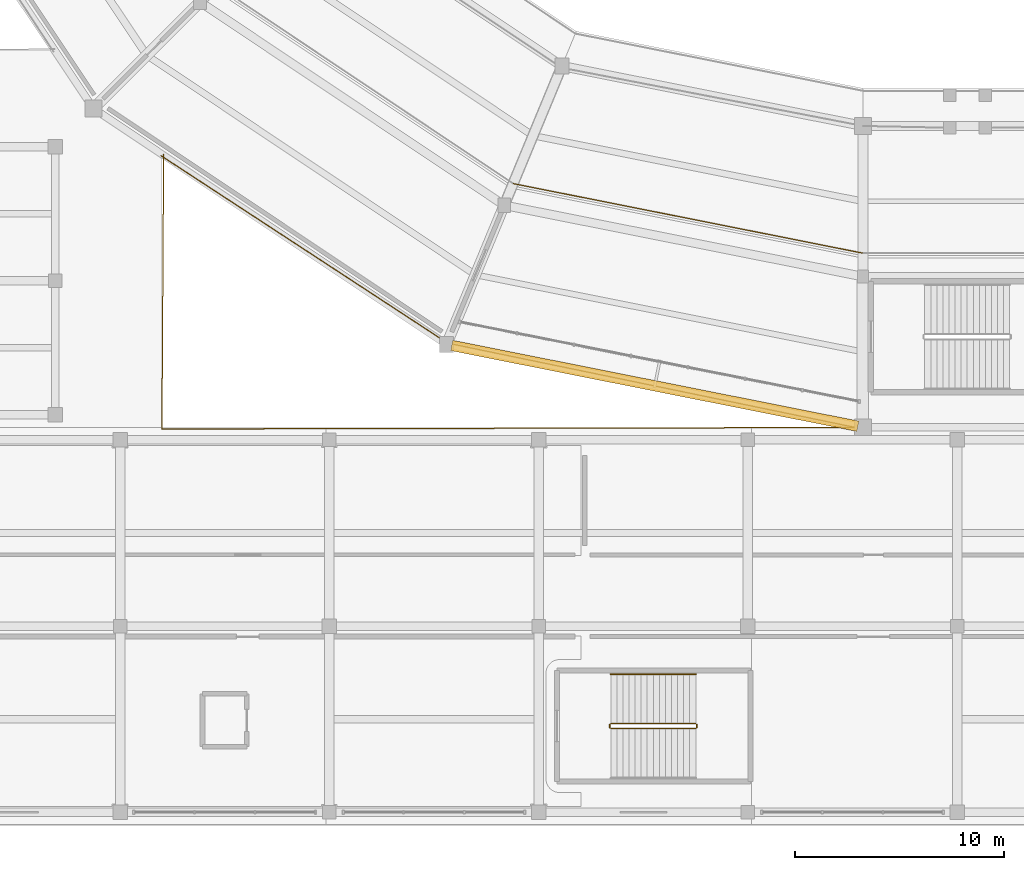
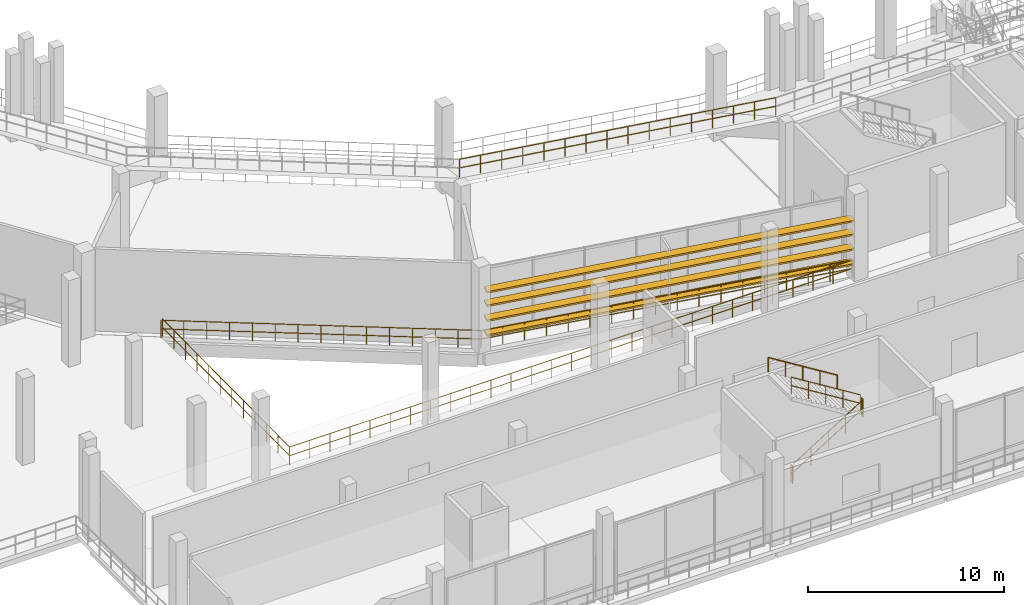
# One storey, part 95 of 127: 10 railings, 4 shading devices.
"""IFC4 building model written with IfcOpenShell, lengths in metres."""

from ifc_helpers import new_model, si_unit, direction, frame, origin, origin_2d, place, context, subcontext, project, spatial, rectangle, circle, extrude, material, layer, layer_set, type_object, element, save


model = new_model("IFC4")

# Units and contexts
model_context = context("Model", 3, precision=1e-05, world=origin(), true_north=direction((0.0, 1.0)))
body_context = subcontext(model_context, "Body", "Model", "MODEL_VIEW")
ifc_project = project(units=[si_unit("LENGTHUNIT", "METRE"), si_unit("AREAUNIT", "SQUARE_METRE"), si_unit("VOLUMEUNIT", "CUBIC_METRE"), si_unit("PLANEANGLEUNIT", "RADIAN"), si_unit("MASSUNIT", "GRAM", prefix="KILO")], contexts=[model_context])

# Site, building, storey
site_placement = place(None, origin())
site = spatial("IfcSite", under=ifc_project, at=site_placement, CompositionType="ELEMENT")
building_placement = place(site_placement, origin())
building = spatial("IfcBuilding", under=site, at=building_placement, Name="Candeia Ridge Stadium", CompositionType="ELEMENT")
storey_placement = place(building_placement, frame((0.0, 0.0, 10.800048828125)))
storey = spatial("IfcBuildingStorey", under=building, at=storey_placement, Name="L02", CompositionType="ELEMENT", Elevation=10.800048828125)

# Railings
ifc_material_1 = material(Name="Galvanized Powder-Coated Steel", Category="steel")
ifc_layer_1 = layer(ifc_material_1, 0.074951171875, Name="Galvanized Powder-Coated Steel", Category="steel")
ifc_layer_set_1 = layer_set([ifc_layer_1], Name="Galvanized Powder-Coated Steel")
railing_type_1 = type_object("IfcRailingType", Name="Spectator Bowl Front Guardrail 1120", PredefinedType="GUARDRAIL", material=ifc_layer_set_1)
railing_1_placement = place(storey_placement, frame((54.284423828125, 30.64501953125, 4.949951171875)))
element("IfcRailing", 1, at=railing_1_placement, inside=storey, type_object=railing_type_1, Name="Stand T2 rear safety guardrail bay 18", PredefinedType="GUARDRAIL", context=body_context, shape_type="SweptSolid", body=[
    extrude(circle(Radius=0.02392578125, at=origin_2d()), frame((0.0, 0.0, 1.09619140625), z_axis=(0.980785096916, -0.195091244467, 0.0), x_axis=(0.195091244467, 0.980785096916, 0.0)), (0.0, 0.0, 1.0), 17.04296875),
    extrude(circle(Radius=0.02392578125, at=origin_2d()), frame((0.0, 0.0, 0.56005859375), z_axis=(0.980785096916, -0.195091244467, 0.0), x_axis=(0.195091244467, 0.980785096916, 0.0)), (0.0, 0.0, 1.0), 17.04296875),
    extrude(circle(Radius=0.02099609375, at=origin_2d()), origin(), (0.0, 0.0, 1.0), 1.072021484375),
    extrude(circle(Radius=0.02099609375, at=origin_2d()), frame((1.1142578125, -0.2216796875, 0.0)), (0.0, 0.0, 1.0), 1.072021484375),
    extrude(circle(Radius=0.02099609375, at=origin_2d()), frame((2.228759765625, -0.443359375, 0.0)), (0.0, 0.0, 1.0), 1.072021484375),
    extrude(circle(Radius=0.02099609375, at=origin_2d()), frame((3.343017578125, -0.6650390625, 0.0)), (0.0, 0.0, 1.0), 1.072021484375),
    extrude(circle(Radius=0.02099609375, at=origin_2d()), frame((4.45751953125, -0.88671875, 0.0)), (0.0, 0.0, 1.0), 1.072021484375),
    extrude(circle(Radius=0.02099609375, at=origin_2d()), frame((5.57177734375, -1.1083984375, 0.0)), (0.0, 0.0, 1.0), 1.072021484375),
    extrude(circle(Radius=0.02099609375, at=origin_2d()), frame((6.686279296875, -1.330078125, 0.0)), (0.0, 0.0, 1.0), 1.072021484375),
    extrude(circle(Radius=0.02099609375, at=origin_2d()), frame((7.800537109375, -1.5517578125, 0.0)), (0.0, 0.0, 1.0), 1.072021484375),
    extrude(circle(Radius=0.02099609375, at=origin_2d()), frame((8.9150390625, -1.773193359375, 0.0)), (0.0, 0.0, 1.0), 1.072021484375),
    extrude(circle(Radius=0.02099609375, at=origin_2d()), frame((10.029296875, -1.994873046875, 0.0)), (0.0, 0.0, 1.0), 1.072021484375),
    extrude(circle(Radius=0.02099609375, at=origin_2d()), frame((11.143798828125, -2.216552734375, 0.0)), (0.0, 0.0, 1.0), 1.072021484375),
    extrude(circle(Radius=0.02099609375, at=origin_2d()), frame((12.258056640625, -2.438232421875, 0.0)), (0.0, 0.0, 1.0), 1.072021484375),
    extrude(circle(Radius=0.02099609375, at=origin_2d()), frame((13.37255859375, -2.659912109375, 0.0)), (0.0, 0.0, 1.0), 1.072021484375),
    extrude(circle(Radius=0.02099609375, at=origin_2d()), frame((14.48681640625, -2.881591796875, 0.0)), (0.0, 0.0, 1.0), 1.072021484375),
    extrude(circle(Radius=0.02099609375, at=origin_2d()), frame((15.601318359375, -3.103271484375, 0.0)), (0.0, 0.0, 1.0), 1.072021484375),
    extrude(circle(Radius=0.02099609375, at=origin_2d()), frame((16.715576171875, -3.324951171875, 0.0)), (0.0, 0.0, 1.0), 1.072021484375),
])
railing_2_placement = place(storey_placement, frame((37.580078125, 32.0458984375, 0.0)))
element("IfcRailing", 2, at=railing_2_placement, inside=storey, type_object=railing_type_1, Name="Deck edge safety guardrail GR-DE-L02-0127", PredefinedType="GUARDRAIL", context=body_context, shape_type="SweptSolid", body=[
    extrude(circle(Radius=0.02392578125, at=origin_2d()), frame((0.0, 0.0, 1.09619140625), z_axis=(-0.006100623024, -0.999981391026, 0.0), x_axis=(0.999981391026, -0.006100623024, 0.0)), (0.0, 0.0, 1.0), 13.126220703125),
    extrude(circle(Radius=0.02392578125, at=origin_2d()), frame((0.0, 0.0, 0.56005859375), z_axis=(-0.006100623024, -0.999981391026, 0.0), x_axis=(0.999981391026, -0.006100623024, 0.0)), (0.0, 0.0, 1.0), 13.126220703125),
    extrude(circle(Radius=0.02099609375, at=origin_2d()), origin(), (0.0, 0.0, 1.0), 1.072021484375),
    extrude(circle(Radius=0.02099609375, at=origin_2d()), frame((-0.00732421875, -1.193359375, 0.0)), (0.0, 0.0, 1.0), 1.072021484375),
    extrude(circle(Radius=0.02099609375, at=origin_2d()), frame((-0.0146484375, -2.386474609375, 0.0)), (0.0, 0.0, 1.0), 1.072021484375),
    extrude(circle(Radius=0.02099609375, at=origin_2d()), frame((-0.021728515625, -3.579833984375, 0.0)), (0.0, 0.0, 1.0), 1.072021484375),
    extrude(circle(Radius=0.02099609375, at=origin_2d()), frame((-0.029052734375, -4.773193359375, 0.0)), (0.0, 0.0, 1.0), 1.072021484375),
    extrude(circle(Radius=0.02099609375, at=origin_2d()), frame((-0.036376953125, -5.96630859375, 0.0)), (0.0, 0.0, 1.0), 1.072021484375),
    extrude(circle(Radius=0.02099609375, at=origin_2d()), frame((-0.043701171875, -7.15966796875, 0.0)), (0.0, 0.0, 1.0), 1.072021484375),
    extrude(circle(Radius=0.02099609375, at=origin_2d()), frame((-0.051025390625, -8.352783203125, 0.0)), (0.0, 0.0, 1.0), 1.072021484375),
    extrude(circle(Radius=0.02099609375, at=origin_2d()), frame((-0.058349609375, -9.546142578125, 0.0)), (0.0, 0.0, 1.0), 1.072021484375),
    extrude(circle(Radius=0.02099609375, at=origin_2d()), frame((-0.0654296875, -10.739501953125, 0.0)), (0.0, 0.0, 1.0), 1.072021484375),
    extrude(circle(Radius=0.02099609375, at=origin_2d()), frame((-0.07275390625, -11.9326171875, 0.0)), (0.0, 0.0, 1.0), 1.072021484375),
    extrude(circle(Radius=0.02099609375, at=origin_2d()), frame((-0.080078125, -13.1259765625, 0.0)), (0.0, 0.0, 1.0), 1.072021484375),
])
railing_3_placement = place(storey_placement, frame((37.5, 18.919921875, 0.0)))
element("IfcRailing", 3, at=railing_3_placement, inside=storey, type_object=railing_type_1, Name="Deck edge safety guardrail GR-DE-L02-0128", PredefinedType="GUARDRAIL", context=body_context, shape_type="SweptSolid", body=[
    extrude(circle(Radius=0.02392578125, at=origin_2d()), frame((0.0, 0.0, 1.09619140625), z_axis=(0.999997640457, 0.002172344388, 0.0), x_axis=(-0.002172344388, 0.999997640457, 0.0)), (0.0, 0.0, 1.0), 33.26611328125),
    extrude(circle(Radius=0.02392578125, at=origin_2d()), frame((0.0, 0.0, 0.56005859375), z_axis=(0.999997640457, 0.002172344388, 0.0), x_axis=(-0.002172344388, 0.999997640457, 0.0)), (0.0, 0.0, 1.0), 33.26611328125),
    extrude(circle(Radius=0.02099609375, at=origin_2d()), origin(), (0.0, 0.0, 1.0), 1.072021484375),
    extrude(circle(Radius=0.02099609375, at=origin_2d()), frame((1.18798828125, 0.002685546875, 0.0)), (0.0, 0.0, 1.0), 1.072021484375),
    extrude(circle(Radius=0.02099609375, at=origin_2d()), frame((2.376220703125, 0.005126953125, 0.0)), (0.0, 0.0, 1.0), 1.072021484375),
    extrude(circle(Radius=0.02099609375, at=origin_2d()), frame((3.564208984375, 0.0078125, 0.0)), (0.0, 0.0, 1.0), 1.072021484375),
    extrude(circle(Radius=0.02099609375, at=origin_2d()), frame((4.752197265625, 0.01025390625, 0.0)), (0.0, 0.0, 1.0), 1.072021484375),
    extrude(circle(Radius=0.02099609375, at=origin_2d()), frame((5.9404296875, 0.012939453125, 0.0)), (0.0, 0.0, 1.0), 1.072021484375),
    extrude(circle(Radius=0.02099609375, at=origin_2d()), frame((7.12841796875, 0.015380859375, 0.0)), (0.0, 0.0, 1.0), 1.072021484375),
    extrude(circle(Radius=0.02099609375, at=origin_2d()), frame((8.31640625, 0.01806640625, 0.0)), (0.0, 0.0, 1.0), 1.072021484375),
    extrude(circle(Radius=0.02099609375, at=origin_2d()), frame((9.504638671875, 0.020751953125, 0.0)), (0.0, 0.0, 1.0), 1.072021484375),
    extrude(circle(Radius=0.02099609375, at=origin_2d()), frame((10.692626953125, 0.023193359375, 0.0)), (0.0, 0.0, 1.0), 1.072021484375),
    extrude(circle(Radius=0.02099609375, at=origin_2d()), frame((11.880859375, 0.02587890625, 0.0)), (0.0, 0.0, 1.0), 1.072021484375),
    extrude(circle(Radius=0.02099609375, at=origin_2d()), frame((13.06884765625, 0.0283203125, 0.0)), (0.0, 0.0, 1.0), 1.072021484375),
    extrude(circle(Radius=0.02099609375, at=origin_2d()), frame((14.2568359375, 0.031005859375, 0.0)), (0.0, 0.0, 1.0), 1.072021484375),
    extrude(circle(Radius=0.02099609375, at=origin_2d()), frame((15.445068359375, 0.033447265625, 0.0)), (0.0, 0.0, 1.0), 1.072021484375),
    extrude(circle(Radius=0.02099609375, at=origin_2d()), frame((16.633056640625, 0.0361328125, 0.0)), (0.0, 0.0, 1.0), 1.072021484375),
    extrude(circle(Radius=0.02099609375, at=origin_2d()), frame((17.821044921875, 0.038818359375, 0.0)), (0.0, 0.0, 1.0), 1.072021484375),
    extrude(circle(Radius=0.02099609375, at=origin_2d()), frame((19.00927734375, 0.041259765625, 0.0)), (0.0, 0.0, 1.0), 1.072021484375),
    extrude(circle(Radius=0.02099609375, at=origin_2d()), frame((20.197265625, 0.0439453125, 0.0)), (0.0, 0.0, 1.0), 1.072021484375),
    extrude(circle(Radius=0.02099609375, at=origin_2d()), frame((21.38525390625, 0.04638671875, 0.0)), (0.0, 0.0, 1.0), 1.072021484375),
    extrude(circle(Radius=0.02099609375, at=origin_2d()), frame((22.573486328125, 0.049072265625, 0.0)), (0.0, 0.0, 1.0), 1.072021484375),
    extrude(circle(Radius=0.02099609375, at=origin_2d()), frame((23.761474609375, 0.051513671875, 0.0)), (0.0, 0.0, 1.0), 1.072021484375),
    extrude(circle(Radius=0.02099609375, at=origin_2d()), frame((24.94970703125, 0.05419921875, 0.0)), (0.0, 0.0, 1.0), 1.072021484375),
    extrude(circle(Radius=0.02099609375, at=origin_2d()), frame((26.1376953125, 0.056884765625, 0.0)), (0.0, 0.0, 1.0), 1.072021484375),
    extrude(circle(Radius=0.02099609375, at=origin_2d()), frame((27.32568359375, 0.059326171875, 0.0)), (0.0, 0.0, 1.0), 1.072021484375),
    extrude(circle(Radius=0.02099609375, at=origin_2d()), frame((28.513916015625, 0.06201171875, 0.0)), (0.0, 0.0, 1.0), 1.072021484375),
    extrude(circle(Radius=0.02099609375, at=origin_2d()), frame((29.701904296875, 0.064453125, 0.0)), (0.0, 0.0, 1.0), 1.072021484375),
    extrude(circle(Radius=0.02099609375, at=origin_2d()), frame((30.889892578125, 0.067138671875, 0.0)), (0.0, 0.0, 1.0), 1.072021484375),
    extrude(circle(Radius=0.02099609375, at=origin_2d()), frame((32.078125, 0.069580078125, 0.0)), (0.0, 0.0, 1.0), 1.072021484375),
    extrude(circle(Radius=0.02099609375, at=origin_2d()), frame((33.26611328125, 0.072265625, 0.0)), (0.0, 0.0, 1.0), 1.072021484375),
])
railing_4_placement = place(storey_placement, frame((70.6767578125, 18.982666015625, 0.0)))
element("IfcRailing", 4, at=railing_4_placement, inside=storey, type_object=railing_type_1, Name="Deck edge safety guardrail GR-DE-L02-0129", PredefinedType="GUARDRAIL", context=body_context, shape_type="SweptSolid", body=[
    extrude(circle(Radius=0.02392578125, at=origin_2d()), frame((0.0, 0.0, 1.09619140625), z_axis=(-0.97924861021, 0.202662673924, 0.0), x_axis=(-0.202662673924, -0.97924861021, 0.0)), (0.0, 0.0, 1.0), 19.945556640625),
    extrude(circle(Radius=0.02392578125, at=origin_2d()), frame((0.0, 0.0, 0.56005859375), z_axis=(-0.97924861021, 0.202662673924, 0.0), x_axis=(-0.202662673924, -0.97924861021, 0.0)), (0.0, 0.0, 1.0), 19.945556640625),
    extrude(circle(Radius=0.02099609375, at=origin_2d()), origin(), (0.0, 0.0, 1.0), 1.072021484375),
    extrude(circle(Radius=0.02099609375, at=origin_2d()), frame((-1.14892578125, 0.23779296875, 0.0)), (0.0, 0.0, 1.0), 1.072021484375),
    extrude(circle(Radius=0.02099609375, at=origin_2d()), frame((-2.2978515625, 0.4755859375, 0.0)), (0.0, 0.0, 1.0), 1.072021484375),
    extrude(circle(Radius=0.02099609375, at=origin_2d()), frame((-3.44677734375, 0.71337890625, 0.0)), (0.0, 0.0, 1.0), 1.072021484375),
    extrude(circle(Radius=0.02099609375, at=origin_2d()), frame((-4.595703125, 0.951171875, 0.0)), (0.0, 0.0, 1.0), 1.072021484375),
    extrude(circle(Radius=0.02099609375, at=origin_2d()), frame((-5.74462890625, 1.18896484375, 0.0)), (0.0, 0.0, 1.0), 1.072021484375),
    extrude(circle(Radius=0.02099609375, at=origin_2d()), frame((-6.8935546875, 1.4267578125, 0.0)), (0.0, 0.0, 1.0), 1.072021484375),
    extrude(circle(Radius=0.02099609375, at=origin_2d()), frame((-8.04248046875, 1.66455078125, 0.0)), (0.0, 0.0, 1.0), 1.072021484375),
    extrude(circle(Radius=0.02099609375, at=origin_2d()), frame((-9.19140625, 1.90234375, 0.0)), (0.0, 0.0, 1.0), 1.072021484375),
    extrude(circle(Radius=0.02099609375, at=origin_2d()), frame((-10.34033203125, 2.139892578125, 0.0)), (0.0, 0.0, 1.0), 1.072021484375),
    extrude(circle(Radius=0.02099609375, at=origin_2d()), frame((-11.4892578125, 2.377685546875, 0.0)), (0.0, 0.0, 1.0), 1.072021484375),
    extrude(circle(Radius=0.02099609375, at=origin_2d()), frame((-12.63818359375, 2.615478515625, 0.0)), (0.0, 0.0, 1.0), 1.072021484375),
    extrude(circle(Radius=0.02099609375, at=origin_2d()), frame((-13.787109375, 2.853271484375, 0.0)), (0.0, 0.0, 1.0), 1.072021484375),
    extrude(circle(Radius=0.02099609375, at=origin_2d()), frame((-14.93603515625, 3.091064453125, 0.0)), (0.0, 0.0, 1.0), 1.072021484375),
    extrude(circle(Radius=0.02099609375, at=origin_2d()), frame((-16.0849609375, 3.328857421875, 0.0)), (0.0, 0.0, 1.0), 1.072021484375),
    extrude(circle(Radius=0.02099609375, at=origin_2d()), frame((-17.23388671875, 3.566650390625, 0.0)), (0.0, 0.0, 1.0), 1.072021484375),
    extrude(circle(Radius=0.02099609375, at=origin_2d()), frame((-18.3828125, 3.804443359375, 0.0)), (0.0, 0.0, 1.0), 1.072021484375),
    extrude(circle(Radius=0.02099609375, at=origin_2d()), frame((-19.53173828125, 4.042236328125, 0.0)), (0.0, 0.0, 1.0), 1.072021484375),
])
railing_5_placement = place(storey_placement, frame((51.14501953125, 23.02490234375, 0.0)))
element("IfcRailing", 5, at=railing_5_placement, inside=storey, type_object=railing_type_1, Name="Deck edge safety guardrail GR-DE-L02-0130", PredefinedType="GUARDRAIL", context=body_context, shape_type="SweptSolid", body=[
    extrude(circle(Radius=0.02392578125, at=origin_2d()), frame((0.0, 0.0, 1.09619140625), z_axis=(-0.836870214112, 0.547401356167, 0.0), x_axis=(-0.547401356167, -0.836870214112, 0.0)), (0.0, 0.0, 1.0), 16.35791015625),
    extrude(circle(Radius=0.02392578125, at=origin_2d()), frame((0.0, 0.0, 0.56005859375), z_axis=(-0.836870214112, 0.547401356167, 0.0), x_axis=(-0.547401356167, -0.836870214112, 0.0)), (0.0, 0.0, 1.0), 16.35791015625),
    extrude(circle(Radius=0.02099609375, at=origin_2d()), origin(), (0.0, 0.0, 1.0), 1.072021484375),
    extrude(circle(Radius=0.02099609375, at=origin_2d()), frame((-0.977783203125, 0.6396484375, 0.0)), (0.0, 0.0, 1.0), 1.072021484375),
    extrude(circle(Radius=0.02099609375, at=origin_2d()), frame((-1.95556640625, 1.279296875, 0.0)), (0.0, 0.0, 1.0), 1.072021484375),
    extrude(circle(Radius=0.02099609375, at=origin_2d()), frame((-2.933349609375, 1.918701171875, 0.0)), (0.0, 0.0, 1.0), 1.072021484375),
    extrude(circle(Radius=0.02099609375, at=origin_2d()), frame((-3.911376953125, 2.558349609375, 0.0)), (0.0, 0.0, 1.0), 1.072021484375),
    extrude(circle(Radius=0.02099609375, at=origin_2d()), frame((-4.88916015625, 3.197998046875, 0.0)), (0.0, 0.0, 1.0), 1.072021484375),
    extrude(circle(Radius=0.02099609375, at=origin_2d()), frame((-5.866943359375, 3.837646484375, 0.0)), (0.0, 0.0, 1.0), 1.072021484375),
    extrude(circle(Radius=0.02099609375, at=origin_2d()), frame((-6.8447265625, 4.47705078125, 0.0)), (0.0, 0.0, 1.0), 1.072021484375),
    extrude(circle(Radius=0.02099609375, at=origin_2d()), frame((-7.822509765625, 5.11669921875, 0.0)), (0.0, 0.0, 1.0), 1.072021484375),
    extrude(circle(Radius=0.02099609375, at=origin_2d()), frame((-8.80029296875, 5.75634765625, 0.0)), (0.0, 0.0, 1.0), 1.072021484375),
    extrude(circle(Radius=0.02099609375, at=origin_2d()), frame((-9.778076171875, 6.39599609375, 0.0)), (0.0, 0.0, 1.0), 1.072021484375),
    extrude(circle(Radius=0.02099609375, at=origin_2d()), frame((-10.756103515625, 7.03564453125, 0.0)), (0.0, 0.0, 1.0), 1.072021484375),
    extrude(circle(Radius=0.02099609375, at=origin_2d()), frame((-11.73388671875, 7.675048828125, 0.0)), (0.0, 0.0, 1.0), 1.072021484375),
    extrude(circle(Radius=0.02099609375, at=origin_2d()), frame((-12.711669921875, 8.314697265625, 0.0)), (0.0, 0.0, 1.0), 1.072021484375),
    extrude(circle(Radius=0.02099609375, at=origin_2d()), frame((-13.689453125, 8.954345703125, 0.0)), (0.0, 0.0, 1.0), 1.072021484375),
])
ifc_material_2 = material(Name="Brushed Stainless Steel", Category="steel")
ifc_layer_2 = layer(ifc_material_2, 0.048095703125, Name="Brushed Stainless Steel", Category="steel")
ifc_layer_set_2 = layer_set([ifc_layer_2], Name="Brushed Stainless Steel")
railing_type_2 = type_object("IfcRailingType", Name="Stair Wall & Flight Handrail 900", PredefinedType="HANDRAIL", material=ifc_layer_set_2)
railing_6_placement = place(storey_placement, frame((63.010009765625, 7.199951171875, 2.8798828125)))
element("IfcRailing", 6, at=railing_6_placement, inside=storey, type_object=railing_type_2, Name="L02 ST13 stair handrail 2", PredefinedType="HANDRAIL", context=body_context, shape_type="SweptSolid", body=[
    extrude(circle(Radius=0.02392578125, at=origin_2d()), frame((0.0, 0.0, 0.8759765625), z_axis=(-0.849641744969, 0.0, 0.527360318194), x_axis=(0.0, -1.0, 0.0)), (0.0, 0.0, 1.0), 4.778564453125),
    extrude(circle(Radius=0.02099609375, at=origin_2d()), origin(), (0.0, 0.0, 1.0), 0.851806640625),
    extrude(circle(Radius=0.02099609375, at=origin_2d()), frame((-1.01513671875, 0.0, 0.6298828125)), (0.0, 0.0, 1.0), 0.851806640625),
    extrude(circle(Radius=0.02099609375, at=origin_2d()), frame((-2.030029296875, 0.0, 1.260009765625)), (0.0, 0.0, 1.0), 0.851806640625),
    extrude(circle(Radius=0.02099609375, at=origin_2d()), frame((-3.044921875, 0.0, 1.89013671875)), (0.0, 0.0, 1.0), 0.851806640625),
    extrude(circle(Radius=0.02099609375, at=origin_2d()), frame((-4.06005859375, 0.0, 2.52001953125)), (0.0, 0.0, 1.0), 0.851806640625),
])
ifc_layer_3 = layer(ifc_material_1, 0.06005859375, Name="Galvanized Powder-Coated Steel", Category="steel")
ifc_layer_set_3 = layer_set([ifc_layer_3], Name="Galvanized Powder-Coated Steel")
railing_type_3 = type_object("IfcRailingType", Name="Stair Well Guardrail 1100", PredefinedType="GUARDRAIL", material=ifc_layer_set_3)
railing_7_placement = place(storey_placement, frame((58.949951171875, 4.60009765625, 0.179931640625)))
element("IfcRailing", 7, at=railing_7_placement, inside=storey, type_object=railing_type_3, Name="L02 ST13 stair guard 1", PredefinedType="GUARDRAIL", context=body_context, shape_type="SweptSolid", body=[
    extrude(circle(Radius=0.02392578125, at=origin_2d()), frame((0.0, 0.0, 1.076171875), z_axis=(0.849641744969, 0.0, 0.527360318194), x_axis=(0.0, 1.0, 0.0)), (0.0, 0.0, 1.0), 4.778564453125),
    extrude(circle(Radius=0.02392578125, at=origin_2d()), frame((0.0, 0.0, 0.550048828125), z_axis=(0.849641744969, 0.0, 0.527360318194), x_axis=(0.0, 1.0, 0.0)), (0.0, 0.0, 1.0), 4.778564453125),
    extrude(circle(Radius=0.02099609375, at=origin_2d()), origin(), (0.0, 0.0, 1.0), 1.052001953125),
    extrude(circle(Radius=0.02099609375, at=origin_2d()), frame((1.01513671875, 0.0, 0.6298828125)), (0.0, 0.0, 1.0), 1.052001953125),
    extrude(circle(Radius=0.02099609375, at=origin_2d()), frame((2.030029296875, 0.0, 1.260009765625)), (0.0, 0.0, 1.0), 1.052001953125),
    extrude(circle(Radius=0.02099609375, at=origin_2d()), frame((3.044921875, 0.0, 1.89013671875)), (0.0, 0.0, 1.0), 1.052001953125),
    extrude(circle(Radius=0.02099609375, at=origin_2d()), frame((4.06005859375, 0.0, 2.52001953125)), (0.0, 0.0, 1.0), 1.052001953125),
])
railing_8_placement = place(storey_placement, frame((63.06005859375, 4.64990234375, 2.699951171875)))
element("IfcRailing", 8, at=railing_8_placement, inside=storey, type_object=railing_type_3, Name="L02 ST13 stair guard 2", PredefinedType="GUARDRAIL", context=body_context, shape_type="SweptSolid", body=[
    extrude(circle(Radius=0.02392578125, at=origin_2d()), frame((0.0, 0.0, 1.076171875), z_axis=(0.0, 1.0, 0.0), x_axis=(-1.0, 0.0, 0.0)), (0.0, 0.0, 1.0), 0.150146484375),
    extrude(circle(Radius=0.02392578125, at=origin_2d()), frame((0.0, 0.0, 0.550048828125), z_axis=(0.0, 1.0, 0.0), x_axis=(-1.0, 0.0, 0.0)), (0.0, 0.0, 1.0), 0.150146484375),
    extrude(circle(Radius=0.02099609375, at=origin_2d()), origin(), (0.0, 0.0, 1.0), 1.052001953125),
    extrude(circle(Radius=0.02099609375, at=origin_2d()), frame((0.0, 0.150146484375, 0.0)), (0.0, 0.0, 1.0), 1.052001953125),
])
railing_9_placement = place(storey_placement, frame((63.010009765625, 4.85009765625, 2.8798828125)))
element("IfcRailing", 9, at=railing_9_placement, inside=storey, type_object=railing_type_3, Name="L02 ST13 stair guard 3", PredefinedType="GUARDRAIL", context=body_context, shape_type="SweptSolid", body=[
    extrude(circle(Radius=0.02392578125, at=origin_2d()), frame((0.0, 0.0, 1.076171875), z_axis=(-0.849641744969, 0.0, 0.527360318194), x_axis=(0.0, -1.0, 0.0)), (0.0, 0.0, 1.0), 4.778564453125),
    extrude(circle(Radius=0.02392578125, at=origin_2d()), frame((0.0, 0.0, 0.550048828125), z_axis=(-0.849641744969, 0.0, 0.527360318194), x_axis=(0.0, -1.0, 0.0)), (0.0, 0.0, 1.0), 4.778564453125),
    extrude(circle(Radius=0.02099609375, at=origin_2d()), origin(), (0.0, 0.0, 1.0), 1.052001953125),
    extrude(circle(Radius=0.02099609375, at=origin_2d()), frame((-1.01513671875, 0.0, 0.6298828125)), (0.0, 0.0, 1.0), 1.052001953125),
    extrude(circle(Radius=0.02099609375, at=origin_2d()), frame((-2.030029296875, 0.0, 1.260009765625)), (0.0, 0.0, 1.0), 1.052001953125),
    extrude(circle(Radius=0.02099609375, at=origin_2d()), frame((-3.044921875, 0.0, 1.89013671875)), (0.0, 0.0, 1.0), 1.052001953125),
    extrude(circle(Radius=0.02099609375, at=origin_2d()), frame((-4.06005859375, 0.0, 2.52001953125)), (0.0, 0.0, 1.0), 1.052001953125),
])
railing_10_placement = place(storey_placement, frame((58.89990234375, 4.64990234375, 0.0)))
element("IfcRailing", 10, at=railing_10_placement, inside=storey, type_object=railing_type_3, Name="L02 ST13 stair guard 4", PredefinedType="GUARDRAIL", context=body_context, shape_type="SweptSolid", body=[
    extrude(circle(Radius=0.02392578125, at=origin_2d()), frame((0.0, 0.0, 1.076171875), z_axis=(0.0, 1.0, 0.0), x_axis=(-1.0, 0.0, 0.0)), (0.0, 0.0, 1.0), 0.150146484375),
    extrude(circle(Radius=0.02392578125, at=origin_2d()), frame((0.0, 0.0, 0.550048828125), z_axis=(0.0, 1.0, 0.0), x_axis=(-1.0, 0.0, 0.0)), (0.0, 0.0, 1.0), 0.150146484375),
    extrude(circle(Radius=0.02099609375, at=origin_2d()), origin(), (0.0, 0.0, 1.0), 1.052001953125),
    extrude(circle(Radius=0.02099609375, at=origin_2d()), frame((0.0, 0.150146484375, 0.0)), (0.0, 0.0, 1.0), 1.052001953125),
])

# Shading devices
ifc_material_3 = material(Name="Aluminium Anodized Warm Bronze", Category="aluminium")
shading_device_type = type_object("IfcShadingDeviceType", Name="Weathered Bronze Horizontal Solar Rib 500x105", PredefinedType="JALOUSIE", material=ifc_material_3)
for number, where, z_axis, x_axis, name in (
    (11, (61.05029296875, 20.979248046875, 0.874755859375), (0.0, 0.0, 1.0), (0.980785282416, -0.195090311899, 0.0), "Weathered bronze horizontal solar rib L02 bay 18-1"),
    (12, (61.05029296875, 20.979248046875, 1.802001953125), (0.0, 0.0, 1.0), (0.980785282416, -0.195090311899, 0.0), "Weathered bronze horizontal solar rib L02 bay 18-2"),
    (13, (61.05029296875, 20.979248046875, 2.729248046875), (0.0, 0.0, 1.0), (0.980785282416, -0.195090311899, 0.0), "Weathered bronze horizontal solar rib L02 bay 18-3"),
    (14, (61.05029296875, 20.979248046875, 3.572265625), (0.0, 0.0, 1.0), (0.980785282416, -0.195090311899, 0.0), "Weathered bronze horizontal solar rib L02 bay 18-4"),
):
    element("IfcShadingDevice", number, at=place(storey_placement, frame(where, z_axis=z_axis, x_axis=x_axis)), inside=storey, type_object=shading_device_type, Name=name, PredefinedType="JALOUSIE", context=body_context, shape_type="SweptSolid", body=[
        extrude(rectangle(XDim=19.789306640625, YDim=0.5, at=origin_2d()), origin(), (0.0, 0.0, 1.0), 0.10498046875),
    ])

save(model, "model.ifc")
